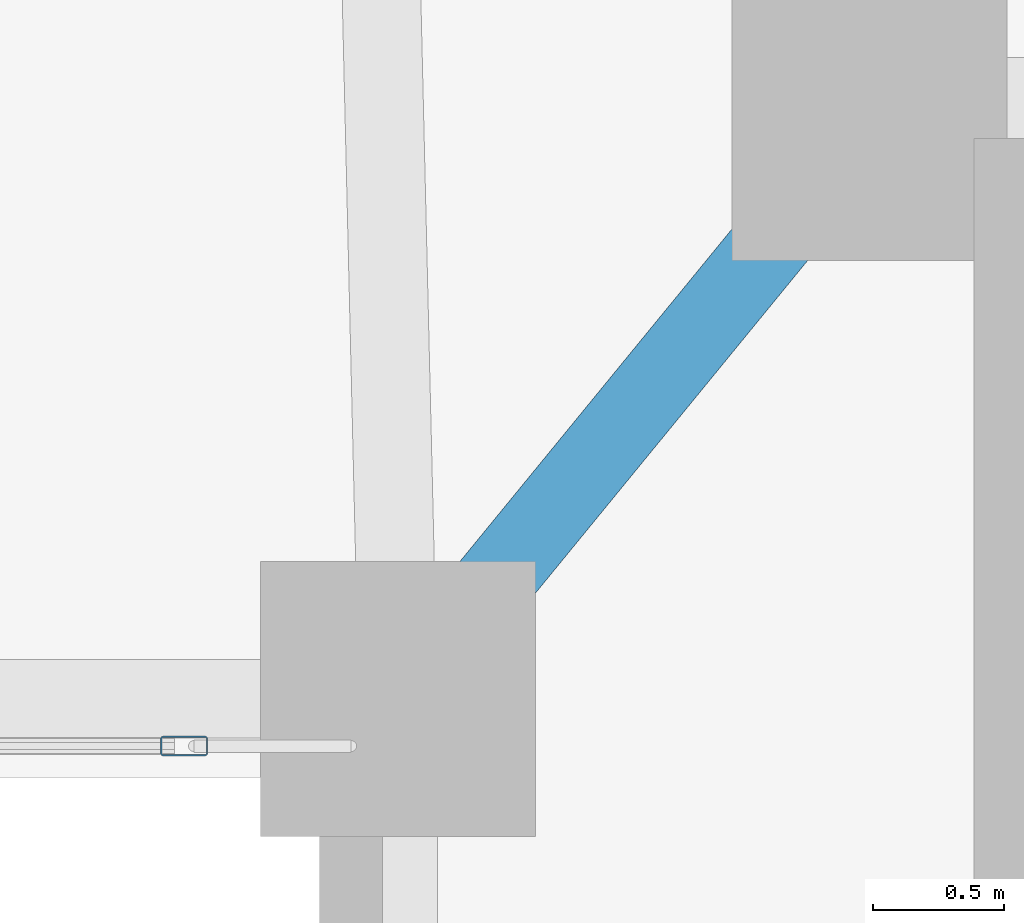
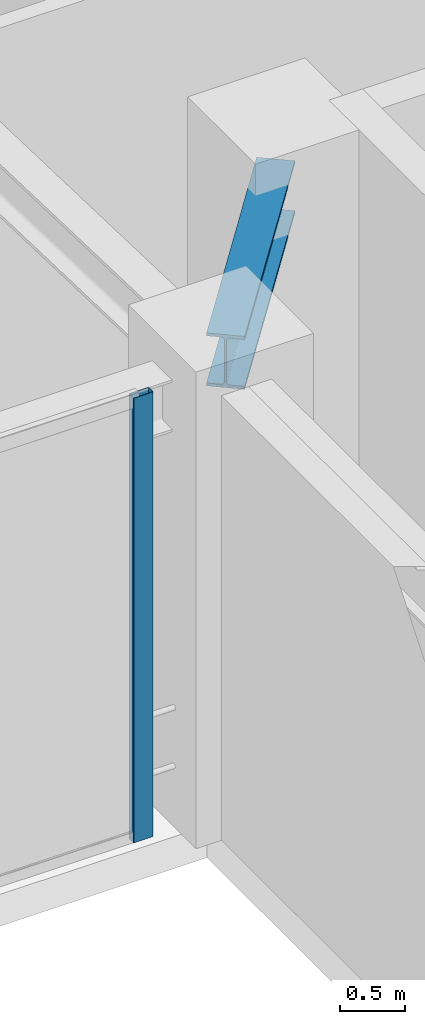
# One storey, part 15 of 33: 1 beam, 1 member, 1 element without a shape of its own.
"""IFC4 building model written with IfcOpenShell, lengths in metres."""

from ifc_helpers import new_model, si_unit, direction, frame, origin, origin_2d, place, context, subcontext, project, spatial, hollow_rectangle, i_section, extrude, material, layer, layer_set, material_profile, profile_set, type_object, element, aggregate, save


model = new_model("IFC4")

# Units and contexts
model_context = context("Model", 3, precision=1e-05, world=origin(), true_north=direction((0.0, 1.0)))
body_context = subcontext(model_context, "Body", "Model", "MODEL_VIEW")
ifc_project = project(units=[si_unit("LENGTHUNIT", "METRE"), si_unit("AREAUNIT", "SQUARE_METRE"), si_unit("VOLUMEUNIT", "CUBIC_METRE"), si_unit("PLANEANGLEUNIT", "RADIAN"), si_unit("MASSUNIT", "GRAM", prefix="KILO")], contexts=[model_context])

# Site, building, storey
site_placement = place(None, origin())
site = spatial("IfcSite", under=ifc_project, at=site_placement, CompositionType="ELEMENT")
building_placement = place(site_placement, origin())
building = spatial("IfcBuilding", under=site, at=building_placement, Name="Tarnavaz Court Tower", CompositionType="ELEMENT")
storey_placement = place(building_placement, frame((0.0, 0.0, 172.800048828125)))
storey = spatial("IfcBuildingStorey", under=building, at=storey_placement, Name="L47", CompositionType="ELEMENT", Elevation=172.800048828125)

# Beam
ifc_material_1 = material(Name="Steel S355", Category="steel")
ifc_material_profile_1 = material_profile(ifc_material_1, i_section(OverallWidth=0.300048828125, OverallDepth=0.5, WebThickness=0.014404296875, FlangeThickness=0.028076171875, FilletRadius=0.027099609375, at=origin_2d()), Name="HEB 500")
ifc_profile_set_1 = profile_set([ifc_material_profile_1], Name="Steel S355")
beam_type = type_object("IfcBeamType", Name="BM-G-HEB500", PredefinedType="USERDEFINED", material=ifc_profile_set_1)
beam_placement = place(storey_placement, frame((9.460693359375, 9.82958984375, 3.949951171875), z_axis=(-0.633282058357, -0.773921077735, 0.0), x_axis=(0.773921077735, -0.633282058357, 0.0)))
element("IfcBeam", 1, at=beam_placement, inside=storey, type_object=beam_type, Name="L47 Beam IN-CE-NI-IW-NE", ObjectType="GIRDER", PredefinedType="USERDEFINED", context=body_context, shape_type="SweptSolid", body=[
    extrude(i_section(OverallWidth=0.300048828125, OverallDepth=0.5, WebThickness=0.014404296875, FlangeThickness=0.028076171875, FilletRadius=0.027099609375, at=origin_2d()), origin(), (0.0, 0.0, 1.0), 2.402587890625),
])

# Curtain wall, member
ifc_material_2 = material(Name="Anodised Aluminium 6063-T6 and Solar Low-E Glazing", Category="aluminium")
ifc_layer = layer(ifc_material_2, 0.139892578125)
ifc_layer_set = layer_set([ifc_layer], Name="Anodised Aluminium 6063-T6 and Solar Low-E Glazing")
curtain_wall_type = type_object("IfcCurtainWallType", Name="CW-SYS-04", PredefinedType="NOTDEFINED", material=ifc_layer_set)
curtain_wall_placement = place(storey_placement, origin())
curtain_wall = element("IfcCurtainWall", 2, at=curtain_wall_placement, inside=storey, type_object=curtain_wall_type, Name="L47 Badgir Courtyard Curtain Wall N", PredefinedType="NOTDEFINED")
ifc_material_3 = material(Name="Anodised Aluminium 6063-T6", Category="aluminium")
ifc_material_profile_2 = material_profile(ifc_material_3, hollow_rectangle(XDim=0.074951171875, YDim=0.179931640625, WallThickness=0.0048828125, InnerFilletRadius=0.0048828125, OuterFilletRadius=0.010009765625, at=origin_2d()), Name="ALU RHS 180X75X5")
ifc_profile_set_2 = profile_set([ifc_material_profile_2], Name="Anodised Aluminium 6063-T6")
member_type = type_object("IfcMemberType", Name="CW-MUL-180", PredefinedType="MULLION", material=ifc_profile_set_2)
member_placement = place(storey_placement, frame((6.982421875, 7.6201171875, 0.0), z_axis=(0.0, 0.0, 1.0), x_axis=(0.0, -1.0, 0.0)))
member = element("IfcMember", 3, at=member_placement, type_object=member_type, Name="CW mullion 1", PredefinedType="MULLION", context=body_context, shape_type="SweptSolid", body=[
    extrude(hollow_rectangle(XDim=0.074951171875, YDim=0.179931640625, WallThickness=0.0048828125, InnerFilletRadius=0.0048828125, OuterFilletRadius=0.010009765625, at=origin_2d()), origin(), (0.0, 0.0, 1.0), 4.199951171875),
])
aggregate(curtain_wall, [member])

save(model, "model.ifc")
